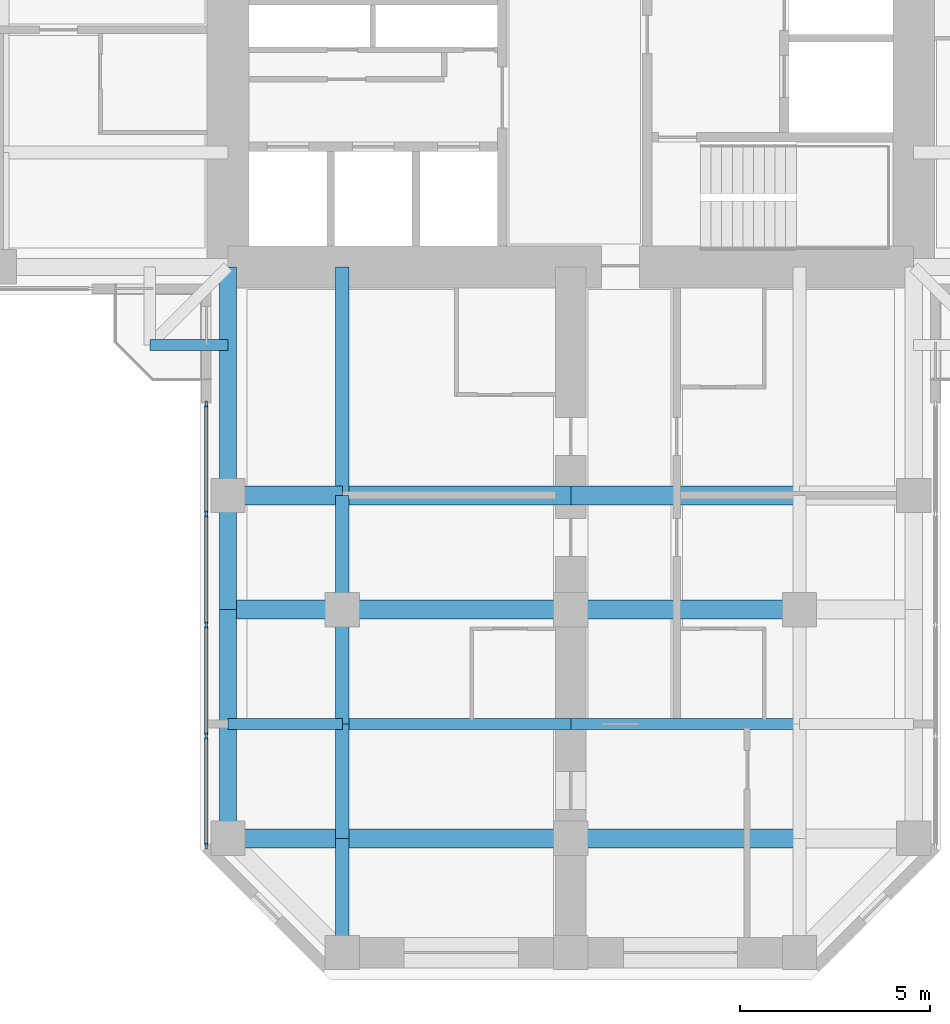
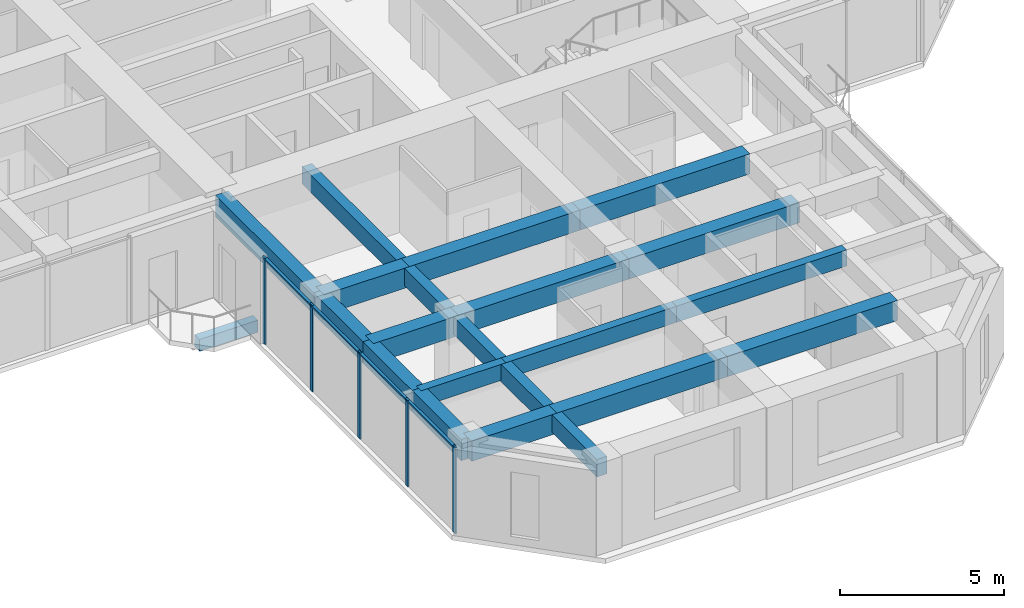
# One storey, part 2 of 14: 22 beams, 9 members, 1 element without a shape of its own.
"""IFC4 building model written with IfcOpenShell, lengths in metres."""

import ifcopenshell
import ifcopenshell.guid

model = None  # the IFC model being written
_history = None  # IfcOwnerHistory: only IFC2X3 demands one
_inside = {}  # id of a spatial element -> (the spatial element, [elements in it])
_under = {}  # id of a project, library or spatial element -> (it, [spatial elements below it])
_declared = {}  # id of a project -> (the project, [libraries it declares])
_typed = {}  # id of a type object -> (the type object, [elements of that type])
_made_of = {}  # id of a material, layer set ... -> (it, [elements and type objects made of it])


def new_model(schema):
    """Start an empty IFC model of exactly this schema.

    Asked for "IFC4X3", IfcOpenShell would pick the latest addendum, in which some entities
    have other attributes; the version numbers below select the first issue.
    IFC2X3 requires an IfcOwnerHistory on every rooted entity: one is made here for all.
    """
    global model, _history
    if schema == "IFC4X3":
        model = ifcopenshell.file(schema_version=(4, 3, 0, 0))
    else:
        model = ifcopenshell.file(schema=schema)
    _inside.clear()
    _under.clear()
    _declared.clear()
    _typed.clear()
    _made_of.clear()
    _history = None
    if model.schema == "IFC2X3":
        org = make("IfcOrganization", Name="unknown")
        user = make(
            "IfcPersonAndOrganization",
            ThePerson=make("IfcPerson", FamilyName="unknown"),
            TheOrganization=org,
        )
        app = make(
            "IfcApplication",
            ApplicationDeveloper=org,
            Version="unknown",
            ApplicationFullName="unknown",
            ApplicationIdentifier="unknown",
        )
        _history = make(
            "IfcOwnerHistory",
            OwningUser=user,
            OwningApplication=app,
            ChangeAction="ADDED",
            CreationDate=0,
        )
    return model


def make(cls, **values):
    """One entity of the class cls with the attributes given. An attribute that is None is left unset."""
    return model.create_entity(
        cls, **{name: value for name, value in values.items() if value is not None}
    )


def rooted(cls, **values):
    """An entity with a GlobalId (a new one), such as an element, a storey or a relation."""
    return make(cls, GlobalId=ifcopenshell.guid.new(), OwnerHistory=_history, **values)


def si_unit(unit_type, name, prefix=None):
    """IfcSIUnit, for example si_unit("LENGTHUNIT", "METRE", prefix="MILLI")."""
    return make("IfcSIUnit", UnitType=unit_type, Prefix=prefix, Name=name)


def assignment(units):
    """IfcUnitAssignment: the units of a project."""
    return None if units is None else make("IfcUnitAssignment", Units=units)


def point(xyz):
    """IfcCartesianPoint."""
    return None if xyz is None else make("IfcCartesianPoint", Coordinates=xyz)


def direction(xyz):
    """IfcDirection."""
    return None if xyz is None else make("IfcDirection", DirectionRatios=xyz)


def frame(location, z_axis=None, x_axis=None):
    """IfcAxis2Placement3D, a coordinate frame: its origin and axes. An axis left out is left unset."""
    return make(
        "IfcAxis2Placement3D",
        Location=point(location),
        Axis=direction(z_axis),
        RefDirection=direction(x_axis),
    )


def frame_2d(location, x_axis=None):
    """IfcAxis2Placement2D, a coordinate frame in the plane: its origin and x axis."""
    return make(
        "IfcAxis2Placement2D", Location=point(location), RefDirection=direction(x_axis)
    )


def origin():
    """The frame at (0, 0, 0) with its axes left unset."""
    return frame((0.0, 0.0, 0.0))


def origin_2d():
    """The frame at (0, 0) in the plane with its x axis left unset."""
    return frame_2d((0.0, 0.0))


def place(relative_to, where):
    """IfcLocalPlacement: puts the frame where relative to a parent placement (None: the world)."""
    return make(
        "IfcLocalPlacement", PlacementRelTo=relative_to, RelativePlacement=where
    )


def context(
    kind, dimensions, precision=None, world=None, true_north=None, identifier=None
):
    """IfcGeometricRepresentationContext, for example the 3D "Model" context."""
    return make(
        "IfcGeometricRepresentationContext",
        ContextIdentifier=identifier,
        ContextType=kind,
        CoordinateSpaceDimension=dimensions,
        Precision=precision,
        WorldCoordinateSystem=world,
        TrueNorth=true_north,
    )


def subcontext(parent, identifier, kind, view, scale=None):
    """IfcGeometricRepresentationSubContext, for example "Body" below "Model"."""
    return make(
        "IfcGeometricRepresentationSubContext",
        ContextIdentifier=identifier,
        ContextType=kind,
        ParentContext=parent,
        TargetScale=scale,
        TargetView=view,
    )


def project(units=None, contexts=None):
    """IfcProject with its units and contexts."""
    return rooted(
        "IfcProject",
        Name="project",
        RepresentationContexts=contexts,
        UnitsInContext=assignment(units),
    )


def spatial(cls, under=None, at=None, **own):
    """A site, building, storey or space (cls), placed at a placement, below another one or the project."""
    s = rooted(cls, ObjectPlacement=at, **own)
    if under is not None:
        _under.setdefault(under.id(), (under, []))[1].append(s)
    return s


def profile(cls, at=None, kind="AREA", **sizes):
    """A parametric profile (cls). Its sizes go by their IFC names, for example OverallWidth=200.0."""
    return make(cls, ProfileType=kind, Position=at, **sizes)


def rectangle(**sizes):
    """IfcRectangleProfileDef."""
    return profile("IfcRectangleProfileDef", **sizes)


def extrude(swept, where, along, depth):
    """IfcExtrudedAreaSolid: the profile swept, set in the frame where, extruded along a direction by depth."""
    return make(
        "IfcExtrudedAreaSolid",
        SweptArea=swept,
        Position=where,
        ExtrudedDirection=direction(along),
        Depth=depth,
    )


def shape(context_of_items, identifier, shape_type, items):
    """IfcShapeRepresentation: the items that make up one representation, for example the "Body"."""
    return make(
        "IfcShapeRepresentation",
        ContextOfItems=context_of_items,
        RepresentationIdentifier=identifier,
        RepresentationType=shape_type,
        Items=items,
    )


def material(Name=None, Category=None):
    """IfcMaterial."""
    return make("IfcMaterial", Name=Name, Category=Category)


def material_profile(
    of_material, cross_section, Name=None, Category=None, Priority=None
):
    """IfcMaterialProfile: a cross section and its material."""
    return make(
        "IfcMaterialProfile",
        Name=Name,
        Material=of_material,
        Profile=cross_section,
        Priority=Priority,
        Category=Category,
    )


def profile_set(profiles, Name=None, composite=None):
    """IfcMaterialProfileSet."""
    return make(
        "IfcMaterialProfileSet",
        Name=Name,
        MaterialProfiles=profiles,
        CompositeProfile=composite,
    )


def made_of(thing, what):
    """Note that an element or type object is made of a material, layer set ...; save() writes the relation."""
    if what is not None:
        _made_of.setdefault(what.id(), (what, []))[1].append(thing)
    return thing


def type_object(cls, material=None, **own):
    """A type object (cls), such as IfcWallType, which elements share."""
    return made_of(rooted(cls, **own), material)


def element(
    cls,
    number,
    at=None,
    inside=None,
    cuts=None,
    type_object=None,
    material=None,
    context=None,
    identifier="Body",
    shape_type=None,
    held_by="IfcProductDefinitionShape",
    body=None,
    shapes=None,
    **own,
):
    """One element of the class cls, such as IfcWall. Its Tag is "e" and its number.

    at: its placement. inside: the storey or other place that contains it. cuts: it is an
    opening in that element (IfcRelVoidsElement). A single representation is given by context,
    identifier, shape_type and body (its items); several are given by shapes. held_by: the class
    of the entity that holds the representations. save() writes the other relations.
    """
    e = rooted(cls, Tag="e%d" % number, ObjectPlacement=at, **own)
    if body is not None:
        shapes = [shape(context, identifier, shape_type, body)]
    if shapes is not None:
        e.Representation = make(held_by, Representations=shapes)
    if inside is not None:
        _inside.setdefault(inside.id(), (inside, []))[1].append(e)
    if cuts is not None:
        rooted(
            "IfcRelVoidsElement", RelatingBuildingElement=cuts, RelatedOpeningElement=e
        )
    if type_object is not None:
        _typed.setdefault(type_object.id(), (type_object, []))[1].append(e)
    return made_of(e, material)


def aggregate(whole, parts):
    """IfcRelAggregates: a whole, such as a stair, and the parts it consists of."""
    return rooted("IfcRelAggregates", RelatingObject=whole, RelatedObjects=parts)


def save(model, path):
    """Write the relations noted so far, then the file.

    IfcRelAggregates (storeys below a building ...), IfcRelContainedInSpatialStructure (elements
    in a storey), IfcRelDefinesByType, IfcRelAssociatesMaterial and IfcRelDeclares: one each for
    every whole, place, type object, material and project.
    """
    for whole, parts in _under.values():
        aggregate(whole, parts)
    for where, things in _inside.values():
        rooted(
            "IfcRelContainedInSpatialStructure",
            RelatedElements=things,
            RelatingStructure=where,
        )
    for kind, things in _typed.values():
        rooted("IfcRelDefinesByType", RelatedObjects=things, RelatingType=kind)
    for what, things in _made_of.values():
        rooted("IfcRelAssociatesMaterial", RelatedObjects=things, RelatingMaterial=what)
    for by, libraries in _declared.values():
        rooted("IfcRelDeclares", RelatingContext=by, RelatedDefinitions=libraries)
    model.write(path)


model = new_model("IFC4")

# Units and contexts
model_context = context("Model", 3, precision=1e-05, world=origin(), true_north=direction((0.0, 1.0)))
body_context = subcontext(model_context, "Body", "Model", "MODEL_VIEW")
ifc_project = project(units=[si_unit("LENGTHUNIT", "METRE"), si_unit("AREAUNIT", "SQUARE_METRE"), si_unit("VOLUMEUNIT", "CUBIC_METRE"), si_unit("PLANEANGLEUNIT", "RADIAN"), si_unit("MASSUNIT", "GRAM", prefix="KILO")], contexts=[model_context])

# Site, building, storey
site_placement = place(None, origin())
site = spatial("IfcSite", under=ifc_project, at=site_placement, CompositionType="ELEMENT")
building_placement = place(site_placement, origin())
building = spatial("IfcBuilding", under=site, at=building_placement, Name="Torre Cruceta", CompositionType="ELEMENT")
storey_placement = place(building_placement, frame((0.0, 0.0, 172.89990234375)))
storey = spatial("IfcBuildingStorey", under=building, at=storey_placement, Name="L42", CompositionType="ELEMENT", Elevation=172.89990234375)

# Beams
ifc_material_1 = material(Name="Concrete G60 (fck 60 MPa)", Category="concrete")
ifc_material_profile_1 = material_profile(ifc_material_1, rectangle(XDim=0.300048828125, YDim=0.449951171875, at=origin_2d()), Name="RC 300X450")
ifc_profile_set_1 = profile_set([ifc_material_profile_1], Name="Concrete G60 (fck 60 MPa)")
beam_type_1 = type_object("IfcBeamType", Name="BALCONY CANTILEVER BEAM RC 300X450", PredefinedType="BEAM", material=ifc_profile_set_1)
beam_1_placement = place(storey_placement, frame((-9.0, -11.050537109375, -0.40478515625), z_axis=(-1.0, 0.0, 0.0), x_axis=(0.0, -1.0, 0.0)))
element("IfcBeam", 1, at=beam_1_placement, inside=storey, type_object=beam_type_1, Name="BB1 balcony edge beam L42 W-Y", PredefinedType="BEAM", context=body_context, shape_type="SweptSolid", body=[
    extrude(rectangle(XDim=0.300048828125, YDim=0.449951171875, at=origin_2d()), origin(), (0.0, 0.0, 1.0), 2.050537109375),
])
ifc_material_2 = material(Name="Concrete G60 (fck 60 MPa)", Category="concrete")
ifc_material_profile_2 = material_profile(ifc_material_2, rectangle(XDim=0.35009765625, YDim=0.64990234375, at=origin_2d()), Name="RC 350X650")
ifc_profile_set_2 = profile_set([ifc_material_profile_2], Name="Concrete G60 (fck 60 MPa)")
beam_type_2 = type_object("IfcBeamType", Name="COLUMN LINE BEAM RC 350X650", PredefinedType="BEAM", material=ifc_profile_set_2)
beam_2_placement = place(storey_placement, frame((-6.0, -9.0, 2.89501953125), z_axis=(0.0, -1.0, 0.0), x_axis=(1.0, 0.0, 0.0)))
element("IfcBeam", 2, at=beam_2_placement, inside=storey, type_object=beam_type_2, Name="LB7 L42 S col- 1", PredefinedType="BEAM", context=body_context, shape_type="SweptSolid", body=[
    extrude(rectangle(XDim=0.35009765625, YDim=0.64990234375, at=origin_2d()), origin(), (0.0, 0.0, 1.0), 6.0),
])
for number, where, z_axis, x_axis, name in (
    (3, (-6.0, -15.0, 2.89501953125), (0.0, -1.0, 0.0), (1.0, 0.0, 0.0), "LB7 L42 S col- 2"),
    (4, (-6.0, -18.0, 2.89501953125), (0.0, -1.0, 0.0), (1.0, 0.0, 0.0), "LB7 L42 S col- 3"),
    (5, (-6.0, -21.0, 2.89501953125), (0.0, -1.0, 0.0), (1.0, 0.0, 0.0), "LB7 L42 S col- 4"),
    (6, (-6.0, -24.0, 2.89501953125), (0.0, -1.0, 0.0), (1.0, 0.0, 0.0), "LB7 L42 S col- 5"),
):
    element("IfcBeam", number, at=place(storey_placement, frame(where, z_axis=z_axis, x_axis=x_axis)), inside=storey, type_object=beam_type_2, Name=name, PredefinedType="BEAM", context=body_context, shape_type="SweptSolid", body=[
        extrude(rectangle(XDim=0.35009765625, YDim=0.64990234375, at=origin_2d()), origin(), (0.0, 0.0, 1.0), 3.0),
    ])
ifc_material_3 = material(Name="Concrete G60 (fck 60 MPa)", Category="concrete")
ifc_material_profile_3 = material_profile(ifc_material_3, rectangle(XDim=0.5, YDim=0.75, at=origin_2d()), Name="RC 500X750")
ifc_profile_set_3 = profile_set([ifc_material_profile_3], Name="Concrete G60 (fck 60 MPa)")
beam_type_3 = type_object("IfcBeamType", Name="CROSS BEAM RC 500X750", PredefinedType="BEAM", material=ifc_profile_set_3)
beam_3_placement = place(storey_placement, frame((-9.0, -15.0, 2.84521484375), z_axis=(1.0, 0.0, 0.0), x_axis=(0.0, 1.0, 0.0)))
element("IfcBeam", 7, at=beam_3_placement, inside=storey, type_object=beam_type_3, Name="GB6 L42 S cross15 1", PredefinedType="BEAM", context=body_context, shape_type="SweptSolid", body=[
    extrude(rectangle(XDim=0.5, YDim=0.75, at=origin_2d()), origin(), (0.0, 0.0, 1.0), 3.0),
])
for number, where, z_axis, x_axis, name in (
    (8, (-6.0, -15.0, 2.84521484375), (1.0, 0.0, 0.0), (0.0, 1.0, 0.0), "GB6 L42 S cross15 2"),
    (9, (0.0, -15.0, 2.84521484375), (1.0, 0.0, 0.0), (0.0, 1.0, 0.0), "GB6 L42 S cross15 3"),
):
    element("IfcBeam", number, at=place(storey_placement, frame(where, z_axis=z_axis, x_axis=x_axis)), inside=storey, type_object=beam_type_3, Name=name, PredefinedType="BEAM", context=body_context, shape_type="SweptSolid", body=[
        extrude(rectangle(XDim=0.5, YDim=0.75, at=origin_2d()), origin(), (0.0, 0.0, 1.0), 6.0),
    ])
beam_4_placement = place(storey_placement, frame((-9.0, -18.0, 2.84521484375), z_axis=(1.0, 0.0, 0.0), x_axis=(0.0, 1.0, 0.0)))
element("IfcBeam", 10, at=beam_4_placement, inside=storey, type_object=beam_type_3, Name="GB6 L42 S cross18 1", PredefinedType="BEAM", context=body_context, shape_type="SweptSolid", body=[
    extrude(rectangle(XDim=0.5, YDim=0.75, at=origin_2d()), origin(), (0.0, 0.0, 1.0), 3.0),
])
for number, where, z_axis, x_axis, name in (
    (11, (-6.0, -18.0, 2.84521484375), (1.0, 0.0, 0.0), (0.0, 1.0, 0.0), "GB6 L42 S cross18 2"),
    (12, (0.0, -18.0, 2.84521484375), (1.0, 0.0, 0.0), (0.0, 1.0, 0.0), "GB6 L42 S cross18 3"),
):
    element("IfcBeam", number, at=place(storey_placement, frame(where, z_axis=z_axis, x_axis=x_axis)), inside=storey, type_object=beam_type_3, Name=name, PredefinedType="BEAM", context=body_context, shape_type="SweptSolid", body=[
        extrude(rectangle(XDim=0.5, YDim=0.75, at=origin_2d()), origin(), (0.0, 0.0, 1.0), 6.0),
    ])
beam_5_placement = place(storey_placement, frame((-9.0, -24.0, 2.84521484375), z_axis=(1.0, 0.0, 0.0), x_axis=(0.0, 1.0, 0.0)))
element("IfcBeam", 13, at=beam_5_placement, inside=storey, type_object=beam_type_3, Name="GB6 L42 S cross24 1", PredefinedType="BEAM", context=body_context, shape_type="SweptSolid", body=[
    extrude(rectangle(XDim=0.5, YDim=0.75, at=origin_2d()), origin(), (0.0, 0.0, 1.0), 3.0),
])
for number, where, z_axis, x_axis, name in (
    (14, (-6.0, -24.0, 2.84521484375), (1.0, 0.0, 0.0), (0.0, 1.0, 0.0), "GB6 L42 S cross24 2"),
    (15, (0.0, -24.0, 2.84521484375), (1.0, 0.0, 0.0), (0.0, 1.0, 0.0), "GB6 L42 S cross24 3"),
):
    element("IfcBeam", number, at=place(storey_placement, frame(where, z_axis=z_axis, x_axis=x_axis)), inside=storey, type_object=beam_type_3, Name=name, PredefinedType="BEAM", context=body_context, shape_type="SweptSolid", body=[
        extrude(rectangle(XDim=0.5, YDim=0.75, at=origin_2d()), origin(), (0.0, 0.0, 1.0), 6.0),
    ])

# Curtain wall, members
ifc_material_4 = material(Name="Aluminium unitised curtain wall", Category="aluminium")
curtain_wall_type = type_object("IfcCurtainWallType", Name="CURTAIN WALL CW-C CO-LIVING", PredefinedType="USERDEFINED", material=ifc_material_4)
curtain_wall_placement = place(storey_placement, origin())
curtain_wall = element("IfcCurtainWall", 16, at=curtain_wall_placement, inside=storey, type_object=curtain_wall_type, Name="CW-C L42 S side 15", ObjectType="UNITISED", PredefinedType="USERDEFINED")
ifc_material_5 = material(Name="Aluminium mullion", Category="aluminium")
ifc_material_profile_4 = material_profile(ifc_material_5, rectangle(XDim=0.06005859375, YDim=0.159912109375, at=origin_2d()), Name="AL 60X160")
ifc_profile_set_4 = profile_set([ifc_material_profile_4], Name="Aluminium mullion")
member_type_1 = type_object("IfcMemberType", Name="CW-C MULLION 60X160", PredefinedType="MULLION", material=ifc_profile_set_4)
member_1_placement = place(storey_placement, frame((-9.570068359375, -12.60009765625, 0.0), z_axis=(0.0, 0.0, 1.0), x_axis=(1.0, 0.0, 0.0)))
member_1 = element("IfcMember", 17, at=member_1_placement, type_object=member_type_1, Name="CW-C mullion 1", PredefinedType="MULLION", context=body_context, shape_type="SweptSolid", body=[
    extrude(rectangle(XDim=0.06005859375, YDim=0.159912109375, at=origin_2d()), origin(), (0.0, 0.0, 1.0), 3.22021484375),
])
member_2_placement = place(storey_placement, frame((-9.570068359375, -15.486572265625, 0.0), z_axis=(0.0, 0.0, 1.0), x_axis=(1.0, 0.0, 0.0)))
member_2 = element("IfcMember", 18, at=member_2_placement, type_object=member_type_1, Name="CW-C mullion 2", PredefinedType="MULLION", context=body_context, shape_type="SweptSolid", body=[
    extrude(rectangle(XDim=0.06005859375, YDim=0.159912109375, at=origin_2d()), origin(), (0.0, 0.0, 1.0), 3.22021484375),
])
member_3_placement = place(storey_placement, frame((-9.570068359375, -18.403076171875, 0.0), z_axis=(0.0, 0.0, 1.0), x_axis=(1.0, 0.0, 0.0)))
member_3 = element("IfcMember", 19, at=member_3_placement, type_object=member_type_1, Name="CW-C mullion 3", PredefinedType="MULLION", context=body_context, shape_type="SweptSolid", body=[
    extrude(rectangle(XDim=0.06005859375, YDim=0.159912109375, at=origin_2d()), origin(), (0.0, 0.0, 1.0), 3.22021484375),
])
member_4_placement = place(storey_placement, frame((-9.570068359375, -21.319580078125, 0.0), z_axis=(0.0, 0.0, 1.0), x_axis=(1.0, 0.0, 0.0)))
member_4 = element("IfcMember", 20, at=member_4_placement, type_object=member_type_1, Name="CW-C mullion 4", PredefinedType="MULLION", context=body_context, shape_type="SweptSolid", body=[
    extrude(rectangle(XDim=0.06005859375, YDim=0.159912109375, at=origin_2d()), origin(), (0.0, 0.0, 1.0), 3.22021484375),
])
member_5_placement = place(storey_placement, frame((-9.570068359375, -24.2060546875, 0.0), z_axis=(0.0, 0.0, 1.0), x_axis=(1.0, 0.0, 0.0)))
member_5 = element("IfcMember", 21, at=member_5_placement, type_object=member_type_1, Name="CW-C mullion 5", PredefinedType="MULLION", context=body_context, shape_type="SweptSolid", body=[
    extrude(rectangle(XDim=0.06005859375, YDim=0.159912109375, at=origin_2d()), origin(), (0.0, 0.0, 1.0), 3.22021484375),
])
ifc_material_6 = material(Name="Aluminium transom", Category="aluminium")
ifc_material_profile_5 = material_profile(ifc_material_6, rectangle(XDim=0.10009765625, YDim=0.06005859375, at=origin_2d()), Name="AL 100X60")
ifc_profile_set_5 = profile_set([ifc_material_profile_5], Name="Aluminium transom")
member_type_2 = type_object("IfcMemberType", Name="CW-C TRANSOM 60X100", PredefinedType="USERDEFINED", material=ifc_profile_set_5)
member_6_placement = place(storey_placement, frame((-9.570068359375, -12.6298828125, 3.190185546875), z_axis=(0.0, -1.0, 0.0), x_axis=(1.0, 0.0, 0.0)))
member_6 = element("IfcMember", 22, at=member_6_placement, type_object=member_type_2, Name="CW-C transom 1", ObjectType="TRANSOM", PredefinedType="USERDEFINED", context=body_context, shape_type="SweptSolid", body=[
    extrude(rectangle(XDim=0.10009765625, YDim=0.06005859375, at=origin_2d()), origin(), (0.0, 0.0, 1.0), 2.82666015625),
])
member_7_placement = place(storey_placement, frame((-9.570068359375, -15.5166015625, 3.190185546875), z_axis=(0.0, -1.0, 0.0), x_axis=(1.0, 0.0, 0.0)))
member_7 = element("IfcMember", 23, at=member_7_placement, type_object=member_type_2, Name="CW-C transom 2", ObjectType="TRANSOM", PredefinedType="USERDEFINED", context=body_context, shape_type="SweptSolid", body=[
    extrude(rectangle(XDim=0.10009765625, YDim=0.06005859375, at=origin_2d()), origin(), (0.0, 0.0, 1.0), 2.8564453125),
])
member_8_placement = place(storey_placement, frame((-9.570068359375, -18.43310546875, 3.190185546875), z_axis=(0.0, -1.0, 0.0), x_axis=(1.0, 0.0, 0.0)))
member_8 = element("IfcMember", 24, at=member_8_placement, type_object=member_type_2, Name="CW-C transom 3", ObjectType="TRANSOM", PredefinedType="USERDEFINED", context=body_context, shape_type="SweptSolid", body=[
    extrude(rectangle(XDim=0.10009765625, YDim=0.06005859375, at=origin_2d()), origin(), (0.0, 0.0, 1.0), 2.8564453125),
])
member_9_placement = place(storey_placement, frame((-9.570068359375, -21.349609375, 3.190185546875), z_axis=(0.0, -1.0, 0.0), x_axis=(1.0, 0.0, 0.0)))
member_9 = element("IfcMember", 25, at=member_9_placement, type_object=member_type_2, Name="CW-C transom 4", ObjectType="TRANSOM", PredefinedType="USERDEFINED", context=body_context, shape_type="SweptSolid", body=[
    extrude(rectangle(XDim=0.10009765625, YDim=0.06005859375, at=origin_2d()), origin(), (0.0, 0.0, 1.0), 2.826416015625),
])
aggregate(curtain_wall, [member_1, member_2, member_3, member_4, member_5, member_6, member_7, member_8, member_9])

# Beams
ifc_material_7 = material(Name="Concrete G60 (fck 60 MPa)", Category="concrete")
ifc_material_profile_6 = material_profile(ifc_material_7, rectangle(XDim=0.300048828125, YDim=0.60009765625, at=origin_2d()), Name="RC 300X600")
ifc_profile_set_6 = profile_set([ifc_material_profile_6], Name="Concrete G60 (fck 60 MPa)")
beam_type_4 = type_object("IfcBeamType", Name="SECONDARY BEAM RC 300X600", PredefinedType="JOIST", material=ifc_profile_set_6)
beam_6_placement = place(storey_placement, frame((-9.0, -21.0, 2.920166015625), z_axis=(1.0, 0.0, 0.0), x_axis=(0.0, 1.0, 0.0)))
element("IfcBeam", 26, at=beam_6_placement, inside=storey, type_object=beam_type_4, Name="JB6 L42 S sec21 1", PredefinedType="JOIST", context=body_context, shape_type="SweptSolid", body=[
    extrude(rectangle(XDim=0.300048828125, YDim=0.60009765625, at=origin_2d()), origin(), (0.0, 0.0, 1.0), 3.0),
])
for number, where, z_axis, x_axis, name in (
    (27, (-6.0, -21.0, 2.920166015625), (1.0, 0.0, 0.0), (0.0, 1.0, 0.0), "JB6 L42 S sec21 2"),
    (28, (0.0, -21.0, 2.920166015625), (1.0, 0.0, 0.0), (0.0, 1.0, 0.0), "JB6 L42 S sec21 3"),
):
    element("IfcBeam", number, at=place(storey_placement, frame(where, z_axis=z_axis, x_axis=x_axis)), inside=storey, type_object=beam_type_4, Name=name, PredefinedType="JOIST", context=body_context, shape_type="SweptSolid", body=[
        extrude(rectangle(XDim=0.300048828125, YDim=0.60009765625, at=origin_2d()), origin(), (0.0, 0.0, 1.0), 6.0),
    ])
ifc_material_8 = material(Name="Concrete G60 (fck 60 MPa)", Category="concrete")
ifc_material_profile_7 = material_profile(ifc_material_8, rectangle(XDim=0.449951171875, YDim=0.800048828125, at=origin_2d()), Name="RC 450X800")
ifc_profile_set_7 = profile_set([ifc_material_profile_7], Name="Concrete G60 (fck 60 MPa)")
beam_type_5 = type_object("IfcBeamType", Name="SPANDREL BEAM RC 450X800", PredefinedType="SPANDREL", material=ifc_profile_set_7)
beam_7_placement = place(storey_placement, frame((-9.0, -9.0, 2.820068359375), z_axis=(0.0, -1.0, 0.0), x_axis=(1.0, 0.0, 0.0)))
element("IfcBeam", 29, at=beam_7_placement, inside=storey, type_object=beam_type_5, Name="SB6 L42 S side- 1", PredefinedType="SPANDREL", context=body_context, shape_type="SweptSolid", body=[
    extrude(rectangle(XDim=0.449951171875, YDim=0.800048828125, at=origin_2d()), origin(), (0.0, 0.0, 1.0), 6.0),
])
for number, where, z_axis, x_axis, name in (
    (30, (-9.0, -15.0, 2.820068359375), (0.0, -1.0, 0.0), (1.0, 0.0, 0.0), "SB6 L42 S side- 2"),
    (31, (-9.0, -18.0, 2.820068359375), (0.0, -1.0, 0.0), (1.0, 0.0, 0.0), "SB6 L42 S side- 3"),
    (32, (-9.0, -21.0, 2.820068359375), (0.0, -1.0, 0.0), (1.0, 0.0, 0.0), "SB6 L42 S side- 4"),
):
    element("IfcBeam", number, at=place(storey_placement, frame(where, z_axis=z_axis, x_axis=x_axis)), inside=storey, type_object=beam_type_5, Name=name, PredefinedType="SPANDREL", context=body_context, shape_type="SweptSolid", body=[
        extrude(rectangle(XDim=0.449951171875, YDim=0.800048828125, at=origin_2d()), origin(), (0.0, 0.0, 1.0), 3.0),
    ])

save(model, "model.ifc")
